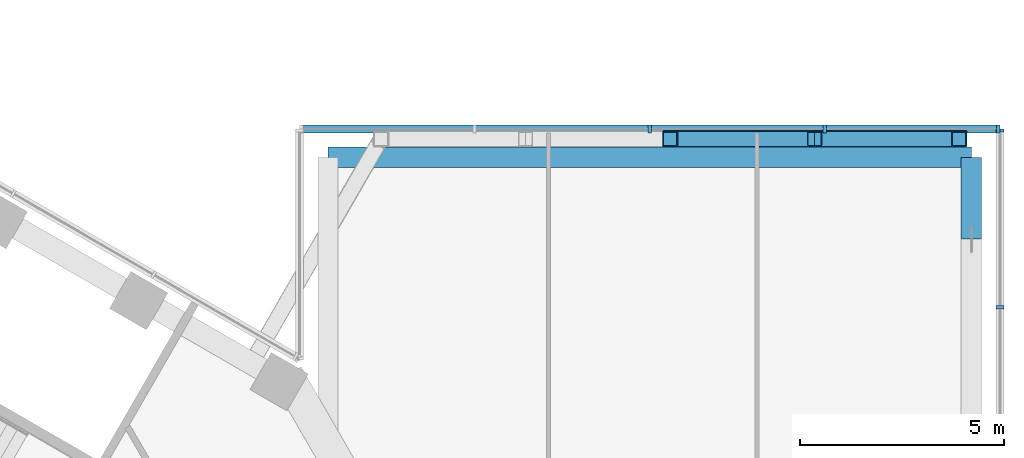
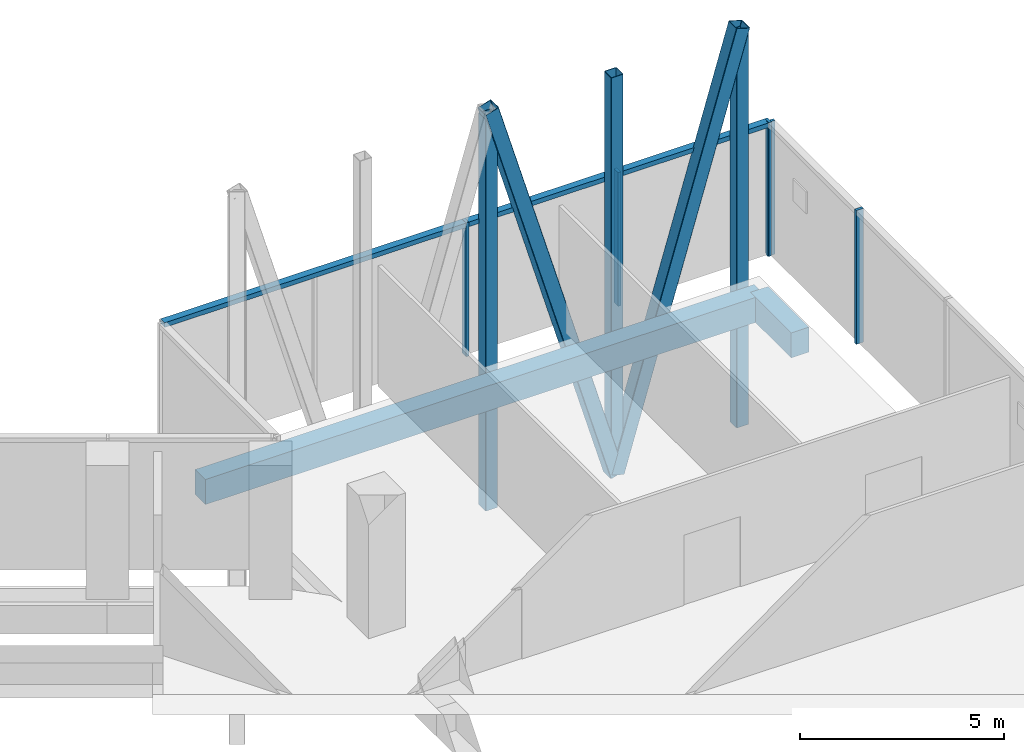
# One storey, part 9 of 24: 11 members, 2 beams, 2 elements without a shape of their own.
"""IFC4 building model written with IfcOpenShell, lengths in metres."""

from ifc_helpers import new_model, si_unit, direction, frame, origin, origin_2d, place, context, subcontext, project, spatial, rectangle, hollow_rectangle, extrude, material, layer, layer_set, material_profile, profile_set, type_object, element, aggregate, save


model = new_model("IFC4")

# Units and contexts
model_context = context("Model", 3, precision=1e-05, world=origin(), true_north=direction((0.0, 1.0)))
body_context = subcontext(model_context, "Body", "Model", "MODEL_VIEW")
ifc_project = project(units=[si_unit("LENGTHUNIT", "METRE"), si_unit("AREAUNIT", "SQUARE_METRE"), si_unit("VOLUMEUNIT", "CUBIC_METRE"), si_unit("PLANEANGLEUNIT", "RADIAN"), si_unit("MASSUNIT", "GRAM", prefix="KILO")], contexts=[model_context])

# Site, building, storey
site_placement = place(None, origin())
site = spatial("IfcSite", under=ifc_project, at=site_placement, CompositionType="ELEMENT")
building_placement = place(site_placement, origin())
building = spatial("IfcBuilding", under=site, at=building_placement, Name="Ayvan Gate Tower", CompositionType="ELEMENT")
storey_placement = place(building_placement, frame((0.0, 0.0, 124.5)))
storey = spatial("IfcBuildingStorey", under=building, at=storey_placement, Name="L33", CompositionType="ELEMENT", Elevation=124.5)

# Beams
ifc_material_1 = material(Name="Concrete C40/50", Category="concrete")
ifc_material_profile_1 = material_profile(ifc_material_1, rectangle(XDim=0.5, YDim=0.75, at=origin_2d()), Name="RC 500x750")
ifc_profile_set_1 = profile_set([ifc_material_profile_1], Name="Concrete C40/50")
beam_type = type_object("IfcBeamType", Name="Sky bar edge beam RC 500x750 C40/50", PredefinedType="BEAM", material=ifc_profile_set_1)
beam_1_placement = place(storey_placement, frame((19.185546875, 16.75, -0.77490234375), z_axis=(1.0, 0.0, 0.0), x_axis=(0.0, 1.0, 0.0)))
element("IfcBeam", 1, at=beam_1_placement, inside=storey, type_object=beam_type, Name="EB-B2-L33-2", PredefinedType="BEAM", context=body_context, shape_type="SweptSolid", body=[
    extrude(rectangle(XDim=0.5, YDim=0.75, at=origin_2d()), origin(), (0.0, 0.0, 1.0), 15.800048828125),
])
beam_2_placement = place(storey_placement, frame((34.985595703125, 16.75, -0.77490234375), z_axis=(0.0, -1.0, 0.0), x_axis=(1.0, 0.0, 0.0)))
element("IfcBeam", 2, at=beam_2_placement, inside=storey, type_object=beam_type, Name="EB-B2-L33-3", PredefinedType="BEAM", context=body_context, shape_type="SweptSolid", body=[
    extrude(rectangle(XDim=0.5, YDim=0.75, at=origin_2d()), origin(), (0.0, 0.0, 1.0), 2.0),
])

# Members
ifc_material_2 = material(Name="Steel S460NH", Category="steel")
ifc_material_profile_2 = material_profile(ifc_material_2, hollow_rectangle(XDim=0.39990234375, YDim=0.39990234375, WallThickness=0.01611328125, InnerFilletRadius=0.01611328125, OuterFilletRadius=0.02392578125, at=origin_2d()), Name="RHS 400x400x16")
ifc_profile_set_2 = profile_set([ifc_material_profile_2], Name="Steel S460NH")
member_type_1 = type_object("IfcMemberType", Name="Sky bar truss brace B2 RHS 400x400x16", PredefinedType="BRACE", material=ifc_profile_set_2)
for number, where, z_axis, x_axis, name in (
    (3, (27.585693359375, 17.205078125, 7.35009765625), (0.281505893878, 0.0, -0.959559498787), (0.0, 1.0, 0.0), "SBX2-A-D-4"),
    (4, (31.135498046875, 17.205078125, -4.75), (0.281523720266, 0.0, 0.959554268881), (0.0, 1.0, 0.0), "SBX2-A-D-5"),
):
    element("IfcMember", number, at=place(storey_placement, frame(where, z_axis=z_axis, x_axis=x_axis)), inside=storey, type_object=member_type_1, Name=name, PredefinedType="BRACE", context=body_context, shape_type="SweptSolid", body=[
        extrude(hollow_rectangle(XDim=0.39990234375, YDim=0.39990234375, WallThickness=0.01611328125, InnerFilletRadius=0.01611328125, OuterFilletRadius=0.02392578125, at=origin_2d()), origin(), (0.0, 0.0, 1.0), 12.610107421875),
    ])
ifc_material_profile_3 = material_profile(ifc_material_2, hollow_rectangle(XDim=0.35009765625, YDim=0.35009765625, WallThickness=0.01611328125, InnerFilletRadius=0.01611328125, OuterFilletRadius=0.02392578125, at=origin_2d()), Name="RHS 350x350x16")
ifc_profile_set_3 = profile_set([ifc_material_profile_3], Name="Steel S460NH")
member_type_2 = type_object("IfcMemberType", Name="Sky bar truss post B2 RHS 350x350x16", PredefinedType="POST", material=ifc_profile_set_3)
for number, where, z_axis, x_axis, name in (
    (5, (27.585693359375, 17.205078125, -4.550048828125), (0.0, 0.0, 1.0), (1.0, 0.0, 0.0), "SBX2-A-P-3"),
    (6, (31.135498046875, 17.205078125, -4.550048828125), (0.0, 0.0, 1.0), (1.0, 0.0, 0.0), "SBX2-A-P-4"),
    (7, (34.685546875, 17.205078125, -4.550048828125), (0.0, 0.0, 1.0), (1.0, 0.0, 0.0), "SBX2-A-P-5"),
):
    element("IfcMember", number, at=place(storey_placement, frame(where, z_axis=z_axis, x_axis=x_axis)), inside=storey, type_object=member_type_2, Name=name, PredefinedType="POST", context=body_context, shape_type="SweptSolid", body=[
        extrude(hollow_rectangle(XDim=0.35009765625, YDim=0.35009765625, WallThickness=0.01611328125, InnerFilletRadius=0.01611328125, OuterFilletRadius=0.02392578125, at=origin_2d()), origin(), (0.0, 0.0, 1.0), 11.699951171875),
    ])

# Curtain wall, members
ifc_material_3 = material(Name="Bronze anodised aluminium", Category="aluminium")
ifc_layer = layer(ifc_material_3, 0.199951171875)
ifc_layer_set = layer_set([ifc_layer], Name="Bronze anodised aluminium")
curtain_wall_type = type_object("IfcCurtainWallType", Name="Stick curtain wall CW-4", PredefinedType="NOTDEFINED", material=ifc_layer_set)
curtain_wall_1_placement = place(storey_placement, origin())
curtain_wall_1 = element("IfcCurtainWall", 8, at=curtain_wall_1_placement, inside=storey, type_object=curtain_wall_type, Name="Stick curtain wall CW-4 L33", PredefinedType="NOTDEFINED")
ifc_material_profile_4 = material_profile(ifc_material_3, rectangle(XDim=0.199951171875, YDim=0.080078125, at=origin_2d()), Name="Stick curtain wall CW-4 mullion 200 x 80")
ifc_profile_set_4 = profile_set([ifc_material_profile_4], Name="Bronze anodised aluminium")
member_type_3 = type_object("IfcMemberType", Name="Stick curtain wall CW-4 mullion 200 x 80", PredefinedType="MULLION", material=ifc_profile_set_4)
member_1_placement = place(storey_placement, frame((35.685546875, 13.072265625, 0.0), z_axis=(0.0, 0.0, 1.0), x_axis=(1.0, 0.0, 0.0)))
member_1 = element("IfcMember", 9, at=member_1_placement, type_object=member_type_3, Name="CW-4 mullion 9", PredefinedType="MULLION", context=body_context, shape_type="SweptSolid", body=[
    extrude(rectangle(XDim=0.199951171875, YDim=0.080078125, at=origin_2d()), origin(), (0.0, 0.0, 1.0), 4.0),
])
member_2_placement = place(storey_placement, frame((35.685546875, 17.409912109375, 0.0), z_axis=(0.0, 0.0, 1.0), x_axis=(1.0, 0.0, 0.0)))
member_2 = element("IfcMember", 10, at=member_2_placement, type_object=member_type_3, Name="CW-4 mullion 10", PredefinedType="MULLION", context=body_context, shape_type="SweptSolid", body=[
    extrude(rectangle(XDim=0.199951171875, YDim=0.080078125, at=origin_2d()), origin(), (0.0, 0.0, 1.0), 4.0),
])
aggregate(curtain_wall_1, [member_1, member_2])

curtain_wall_2_placement = place(storey_placement, origin())
curtain_wall_2 = element("IfcCurtainWall", 11, at=curtain_wall_2_placement, inside=storey, type_object=curtain_wall_type, Name="Stick curtain wall CW-4 L33", PredefinedType="NOTDEFINED")
member_3_placement = place(storey_placement, frame((35.6455078125, 17.449951171875, 0.0), z_axis=(0.0, 0.0, 1.0), x_axis=(0.0, 1.0, 0.0)))
member_3 = element("IfcMember", 12, at=member_3_placement, type_object=member_type_3, Name="CW-4 mullion 1", PredefinedType="MULLION", context=body_context, shape_type="SweptSolid", body=[
    extrude(rectangle(XDim=0.199951171875, YDim=0.080078125, at=origin_2d()), origin(), (0.0, 0.0, 1.0), 4.0),
])
member_4_placement = place(storey_placement, frame((31.385498046875, 17.449951171875, 0.0), z_axis=(0.0, 0.0, 1.0), x_axis=(0.0, 1.0, 0.0)))
member_4 = element("IfcMember", 13, at=member_4_placement, type_object=member_type_3, Name="CW-4 mullion 2", PredefinedType="MULLION", context=body_context, shape_type="SweptSolid", body=[
    extrude(rectangle(XDim=0.199951171875, YDim=0.080078125, at=origin_2d()), origin(), (0.0, 0.0, 1.0), 4.0),
])
member_5_placement = place(storey_placement, frame((27.085693359375, 17.449951171875, 0.0), z_axis=(0.0, 0.0, 1.0), x_axis=(0.0, 1.0, 0.0)))
member_5 = element("IfcMember", 14, at=member_5_placement, type_object=member_type_3, Name="CW-4 mullion 3", PredefinedType="MULLION", context=body_context, shape_type="SweptSolid", body=[
    extrude(rectangle(XDim=0.199951171875, YDim=0.080078125, at=origin_2d()), origin(), (0.0, 0.0, 1.0), 4.0),
])
ifc_material_profile_5 = material_profile(ifc_material_3, rectangle(XDim=0.199951171875, YDim=0.139892578125, at=origin_2d()), Name="Stick curtain wall CW-4 transom 200 x 140")
ifc_profile_set_5 = profile_set([ifc_material_profile_5], Name="Bronze anodised aluminium")
member_type_4 = type_object("IfcMemberType", Name="Stick curtain wall CW-4 transom 200 x 140", PredefinedType="USERDEFINED", material=ifc_profile_set_5)
member_6_placement = place(storey_placement, frame((35.6455078125, 17.449951171875, 3.929931640625), z_axis=(-1.0, 0.0, 0.0), x_axis=(0.0, -1.0, 0.0)))
member_6 = element("IfcMember", 15, at=member_6_placement, type_object=member_type_4, Name="CW-4 transom 1", ObjectType="TRANSOM", PredefinedType="USERDEFINED", context=body_context, shape_type="SweptSolid", body=[
    extrude(rectangle(XDim=0.199951171875, YDim=0.139892578125, at=origin_2d()), origin(), (0.0, 0.0, 1.0), 17.119873046875),
])
aggregate(curtain_wall_2, [member_3, member_4, member_5, member_6])

save(model, "model.ifc")
